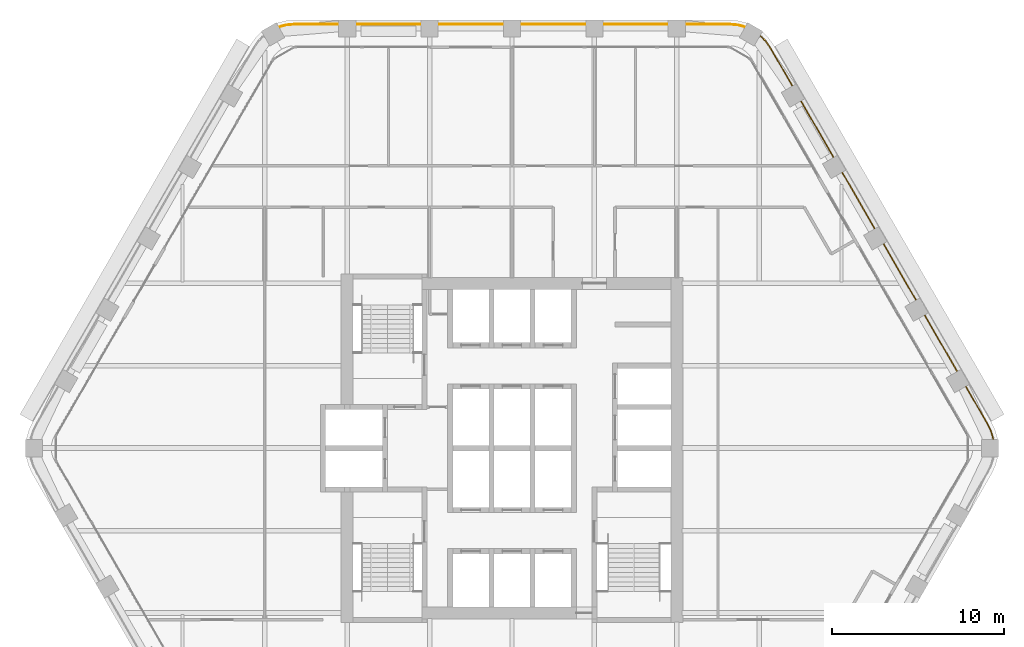
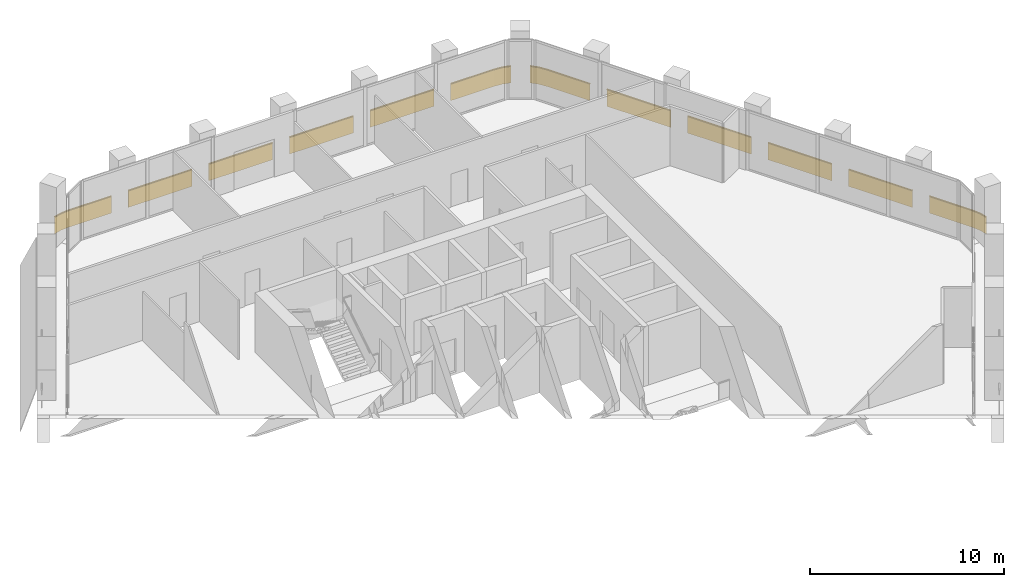
# One storey, part 15 of 15: 2 railings.
"""IFC4 building model written with IfcOpenShell, lengths in metres."""

from ifc_helpers import new_model, si_unit, direction, frame, frame_2d, origin, origin_2d, place, context, subcontext, project, spatial, rectangle, extrude, material, type_object, element, save


model = new_model("IFC4")

# Units and contexts
model_context = context("Model", 3, precision=1e-05, world=origin(), true_north=direction((0.0, 1.0)))
body_context = subcontext(model_context, "Body", "Model", "MODEL_VIEW")
ifc_project = project(units=[si_unit("LENGTHUNIT", "METRE"), si_unit("AREAUNIT", "SQUARE_METRE"), si_unit("VOLUMEUNIT", "CUBIC_METRE"), si_unit("PLANEANGLEUNIT", "RADIAN"), si_unit("MASSUNIT", "GRAM", prefix="KILO")], contexts=[model_context])

# Site, building, storey
site_placement = place(None, origin())
site = spatial("IfcSite", under=ifc_project, at=site_placement, CompositionType="ELEMENT")
building_placement = place(site_placement, origin())
building = spatial("IfcBuilding", under=site, at=building_placement, Name="Kolab Exchange Tower", CompositionType="ELEMENT")
storey_placement = place(building_placement, frame((0.0, 0.0, 158.300048828125)))
storey = spatial("IfcBuildingStorey", under=building, at=storey_placement, Name="L32", CompositionType="ELEMENT", Elevation=158.300048828125)

# Railings
ifc_material = material(Name="Steel S235", Category="steel")
railing_type = type_object("IfcRailingType", Name="GUARD 1100 GLASS BALUSTRADE AND STEEL TOP RAIL", PredefinedType="GUARDRAIL", material=ifc_material)
railing_1_placement = place(storey_placement, frame((13.588623046875, 24.531005859375, 0.0)))
element("IfcRailing", 1, at=railing_1_placement, inside=storey, type_object=railing_type, Name="Guard", PredefinedType="GUARDRAIL", context=body_context, shape_type="SweptSolid", body=[
    extrude(rectangle(XDim=0.05, YDim=0.05, at=origin_2d()), frame((0.0, 0.0, 1.0751953125), z_axis=(-0.965969425465, 0.25865627591, 0.0), x_axis=(-0.25865627591, -0.965969425465, 0.0)), (0.0, 0.0, 1.0), 0.458740234375),
    extrude(rectangle(XDim=0.012, YDim=1.05009765625, at=frame_2d((0.0, 0.525146484375))), frame((0.0, 0.0, 0.0), z_axis=(-0.965969425465, 0.25865627591, 0.0), x_axis=(-0.25865627591, -0.965969425465, 0.0)), (0.0, 0.0, 1.0), 0.458740234375),
    extrude(rectangle(XDim=0.05, YDim=0.05, at=origin_2d()), frame((-0.443115234375, 0.11865234375, 1.0751953125), z_axis=(-0.996156034798, 0.087596542937, 0.0), x_axis=(-0.087596542937, -0.996156034798, 0.0)), (0.0, 0.0, 1.0), 0.4794921875),
    extrude(rectangle(XDim=0.012, YDim=1.05009765625, at=frame_2d((0.0, 0.525146484375))), frame((-0.443115234375, 0.11865234375, 0.0), z_axis=(-0.996156034798, 0.087596542937, 0.0), x_axis=(-0.087596542937, -0.996156034798, 0.0)), (0.0, 0.0, 1.0), 0.4794921875),
    extrude(rectangle(XDim=0.05, YDim=0.05, at=origin_2d()), frame((-0.920654296875, 0.16064453125, 1.0751953125), z_axis=(-1.0, 0.0, 0.0), x_axis=(0.0, -1.0, 0.0)), (0.0, 0.0, 1.0), 2.56787109375),
    extrude(rectangle(XDim=0.012, YDim=1.05009765625, at=frame_2d((0.0, 0.525146484375))), frame((-0.920654296875, 0.16064453125, 0.0), z_axis=(-1.0, 0.0, 0.0), x_axis=(0.0, -1.0, 0.0)), (0.0, 0.0, 1.0), 2.56787109375),
    extrude(rectangle(XDim=0.05, YDim=0.05, at=origin_2d()), frame((-4.488525390625, 0.16064453125, 1.0751953125), z_axis=(-1.0, 0.0, 0.0), x_axis=(0.0, -1.0, 0.0)), (0.0, 0.0, 1.0), 3.800048828125),
    extrude(rectangle(XDim=0.012, YDim=1.05009765625, at=frame_2d((0.0, 0.525146484375))), frame((-4.488525390625, 0.16064453125, 0.0), z_axis=(-1.0, 0.0, 0.0), x_axis=(0.0, -1.0, 0.0)), (0.0, 0.0, 1.0), 3.800048828125),
    extrude(rectangle(XDim=0.05, YDim=0.05, at=origin_2d()), frame((-9.28857421875, 0.16064453125, 1.0751953125), z_axis=(-1.0, 0.0, 0.0), x_axis=(0.0, -1.0, 0.0)), (0.0, 0.0, 1.0), 3.800048828125),
    extrude(rectangle(XDim=0.012, YDim=1.05009765625, at=frame_2d((0.0, 0.525146484375))), frame((-9.28857421875, 0.16064453125, 0.0), z_axis=(-1.0, 0.0, 0.0), x_axis=(0.0, -1.0, 0.0)), (0.0, 0.0, 1.0), 3.800048828125),
    extrude(rectangle(XDim=0.05, YDim=0.05, at=origin_2d()), frame((-14.088623046875, 0.16064453125, 1.0751953125), z_axis=(-1.0, 0.0, 0.0), x_axis=(0.0, -1.0, 0.0)), (0.0, 0.0, 1.0), 3.800048828125),
    extrude(rectangle(XDim=0.012, YDim=1.05009765625, at=frame_2d((0.0, 0.525146484375))), frame((-14.088623046875, 0.16064453125, 0.0), z_axis=(-1.0, 0.0, 0.0), x_axis=(0.0, -1.0, 0.0)), (0.0, 0.0, 1.0), 3.800048828125),
    extrude(rectangle(XDim=0.05, YDim=0.05, at=origin_2d()), frame((-18.888671875, 0.16064453125, 1.0751953125), z_axis=(-1.0, 0.0, 0.0), x_axis=(0.0, -1.0, 0.0)), (0.0, 0.0, 1.0), 3.800048828125),
    extrude(rectangle(XDim=0.012, YDim=1.05009765625, at=frame_2d((0.0, 0.525146484375))), frame((-18.888671875, 0.16064453125, 0.0), z_axis=(-1.0, 0.0, 0.0), x_axis=(0.0, -1.0, 0.0)), (0.0, 0.0, 1.0), 3.800048828125),
    extrude(rectangle(XDim=0.05, YDim=0.05, at=origin_2d()), frame((-23.688720703125, 0.16064453125, 1.0751953125), z_axis=(-1.0, 0.0, 0.0), x_axis=(0.0, -1.0, 0.0)), (0.0, 0.0, 1.0), 2.56787109375),
    extrude(rectangle(XDim=0.012, YDim=1.05009765625, at=frame_2d((0.0, 0.525146484375))), frame((-23.688720703125, 0.16064453125, 0.0), z_axis=(-1.0, 0.0, 0.0), x_axis=(0.0, -1.0, 0.0)), (0.0, 0.0, 1.0), 2.56787109375),
    extrude(rectangle(XDim=0.05, YDim=0.05, at=origin_2d()), frame((-26.256591796875, 0.16064453125, 1.0751953125), z_axis=(-0.996156034798, -0.087596542937, 0.0), x_axis=(0.087596542937, -0.996156034798, 0.0)), (0.0, 0.0, 1.0), 0.4794921875),
    extrude(rectangle(XDim=0.012, YDim=1.05009765625, at=frame_2d((0.0, 0.525146484375))), frame((-26.256591796875, 0.16064453125, 0.0), z_axis=(-0.996156034798, -0.087596542937, 0.0), x_axis=(0.087596542937, -0.996156034798, 0.0)), (0.0, 0.0, 1.0), 0.4794921875),
    extrude(rectangle(XDim=0.05, YDim=0.05, at=origin_2d()), frame((-26.734130859375, 0.11865234375, 1.0751953125), z_axis=(-0.965969425465, -0.25865627591, 0.0), x_axis=(0.25865627591, -0.965969425465, 0.0)), (0.0, 0.0, 1.0), 0.458740234375),
    extrude(rectangle(XDim=0.012, YDim=1.05009765625, at=frame_2d((0.0, 0.525146484375))), frame((-26.734130859375, 0.11865234375, 0.0), z_axis=(-0.965969425465, -0.25865627591, 0.0), x_axis=(0.25865627591, -0.965969425465, 0.0)), (0.0, 0.0, 1.0), 0.458740234375),
])
railing_2_placement = place(storey_placement, frame((28.038818359375, 0.49755859375, 0.0)))
element("IfcRailing", 2, at=railing_2_placement, inside=storey, type_object=railing_type, Name="Guard", PredefinedType="GUARDRAIL", context=body_context, shape_type="SweptSolid", body=[
    extrude(rectangle(XDim=0.05, YDim=0.05, at=origin_2d()), frame((0.0, 0.0, 1.0751953125), z_axis=(-0.25865627591, 0.965969425465, 0.0), x_axis=(-0.965969425465, -0.25865627591, 0.0)), (0.0, 0.0, 1.0), 0.458740234375),
    extrude(rectangle(XDim=0.012, YDim=1.05009765625, at=frame_2d((0.0, 0.525146484375))), frame((0.0, 0.0, 0.0), z_axis=(-0.25865627591, 0.965969425465, 0.0), x_axis=(-0.965969425465, -0.25865627591, 0.0)), (0.0, 0.0, 1.0), 0.458740234375),
    extrude(rectangle(XDim=0.05, YDim=0.05, at=origin_2d()), frame((-0.11865234375, 0.443115234375, 1.0751953125), z_axis=(-0.422801802984, 0.906222177721, 0.0), x_axis=(-0.906222177721, -0.422801802984, 0.0)), (0.0, 0.0, 1.0), 0.479248046875),
    extrude(rectangle(XDim=0.012, YDim=1.05009765625, at=frame_2d((0.0, 0.525146484375))), frame((-0.11865234375, 0.443115234375, 0.0), z_axis=(-0.422801802984, 0.906222177721, 0.0), x_axis=(-0.906222177721, -0.422801802984, 0.0)), (0.0, 0.0, 1.0), 0.479248046875),
    extrude(rectangle(XDim=0.05, YDim=0.05, at=origin_2d()), frame((-0.3212890625, 0.87744140625, 1.0751953125), z_axis=(-0.499994038704, 0.866028845513, 0.0), x_axis=(-0.866028845513, -0.499994038704, 0.0)), (0.0, 0.0, 1.0), 2.56787109375),
    extrude(rectangle(XDim=0.012, YDim=1.05009765625, at=frame_2d((0.0, 0.525146484375))), frame((-0.3212890625, 0.87744140625, 0.0), z_axis=(-0.499994038704, 0.866028845513, 0.0), x_axis=(-0.866028845513, -0.499994038704, 0.0)), (0.0, 0.0, 1.0), 2.56787109375),
    extrude(rectangle(XDim=0.05, YDim=0.05, at=origin_2d()), frame((-2.105224609375, 3.96728515625, 1.0751953125), z_axis=(-0.500015340139, 0.86601654697, 0.0), x_axis=(-0.86601654697, -0.500015340139, 0.0)), (0.0, 0.0, 1.0), 3.80029296875),
    extrude(rectangle(XDim=0.012, YDim=1.05009765625, at=frame_2d((0.0, 0.525146484375))), frame((-2.105224609375, 3.96728515625, 0.0), z_axis=(-0.500015340139, 0.86601654697, 0.0), x_axis=(-0.86601654697, -0.500015340139, 0.0)), (0.0, 0.0, 1.0), 3.80029296875),
    extrude(rectangle(XDim=0.05, YDim=0.05, at=origin_2d()), frame((-4.50537109375, 8.124267578125, 1.0751953125), z_axis=(-0.499967155389, 0.866044365799, 0.0), x_axis=(-0.866044365799, -0.499967155389, 0.0)), (0.0, 0.0, 1.0), 3.800048828125),
    extrude(rectangle(XDim=0.012, YDim=1.05009765625, at=frame_2d((0.0, 0.525146484375))), frame((-4.50537109375, 8.124267578125, 0.0), z_axis=(-0.499967155389, 0.866044365799, 0.0), x_axis=(-0.866044365799, -0.499967155389, 0.0)), (0.0, 0.0, 1.0), 3.800048828125),
    extrude(rectangle(XDim=0.05, YDim=0.05, at=origin_2d()), frame((-6.9052734375, 12.28125, 1.0751953125), z_axis=(-0.500043160704, 0.866000483506, 0.0), x_axis=(-0.866000483506, -0.500043160704, 0.0)), (0.0, 0.0, 1.0), 3.800048828125),
    extrude(rectangle(XDim=0.012, YDim=1.05009765625, at=frame_2d((0.0, 0.525146484375))), frame((-6.9052734375, 12.28125, 0.0), z_axis=(-0.500043160704, 0.866000483506, 0.0), x_axis=(-0.866000483506, -0.500043160704, 0.0)), (0.0, 0.0, 1.0), 3.800048828125),
    extrude(rectangle(XDim=0.05, YDim=0.05, at=origin_2d()), frame((-9.305419921875, 16.438232421875, 1.0751953125), z_axis=(-0.499994975061, 0.866028304915, 0.0), x_axis=(-0.866028304915, -0.499994975061, 0.0)), (0.0, 0.0, 1.0), 3.7998046875),
    extrude(rectangle(XDim=0.012, YDim=1.05009765625, at=frame_2d((0.0, 0.525146484375))), frame((-9.305419921875, 16.438232421875, 0.0), z_axis=(-0.499994975061, 0.866028304915, 0.0), x_axis=(-0.866028304915, -0.499994975061, 0.0)), (0.0, 0.0, 1.0), 3.7998046875),
    extrude(rectangle(XDim=0.05, YDim=0.05, at=origin_2d()), frame((-11.705322265625, 20.594970703125, 1.0751953125), z_axis=(-0.499952873616, 0.866052610505, 0.0), x_axis=(-0.866052610505, -0.499952873616, 0.0)), (0.0, 0.0, 1.0), 2.568115234375),
    extrude(rectangle(XDim=0.012, YDim=1.05009765625, at=frame_2d((0.0, 0.525146484375))), frame((-11.705322265625, 20.594970703125, 0.0), z_axis=(-0.499952873616, 0.866052610505, 0.0), x_axis=(-0.866052610505, -0.499952873616, 0.0)), (0.0, 0.0, 1.0), 2.568115234375),
    extrude(rectangle(XDim=0.05, YDim=0.05, at=origin_2d()), frame((-12.9892578125, 22.819091796875, 1.0751953125), z_axis=(-0.573599091554, 0.819136180478, 0.0), x_axis=(-0.819136180478, -0.573599091554, 0.0)), (0.0, 0.0, 1.0), 0.479248046875),
    extrude(rectangle(XDim=0.012, YDim=1.05009765625, at=frame_2d((0.0, 0.525146484375))), frame((-12.9892578125, 22.819091796875, 0.0), z_axis=(-0.573599091554, 0.819136180478, 0.0), x_axis=(-0.819136180478, -0.573599091554, 0.0)), (0.0, 0.0, 1.0), 0.479248046875),
    extrude(rectangle(XDim=0.05, YDim=0.05, at=origin_2d()), frame((-13.26416015625, 23.211669921875, 1.0751953125), z_axis=(-0.70737286085, 0.706840601361, 0.0), x_axis=(-0.706840601361, -0.70737286085, 0.0)), (0.0, 0.0, 1.0), 0.458740234375),
    extrude(rectangle(XDim=0.012, YDim=1.05009765625, at=frame_2d((0.0, 0.525146484375))), frame((-13.26416015625, 23.211669921875, 0.0), z_axis=(-0.70737286085, 0.706840601361, 0.0), x_axis=(-0.706840601361, -0.70737286085, 0.0)), (0.0, 0.0, 1.0), 0.458740234375),
])

save(model, "model.ifc")
